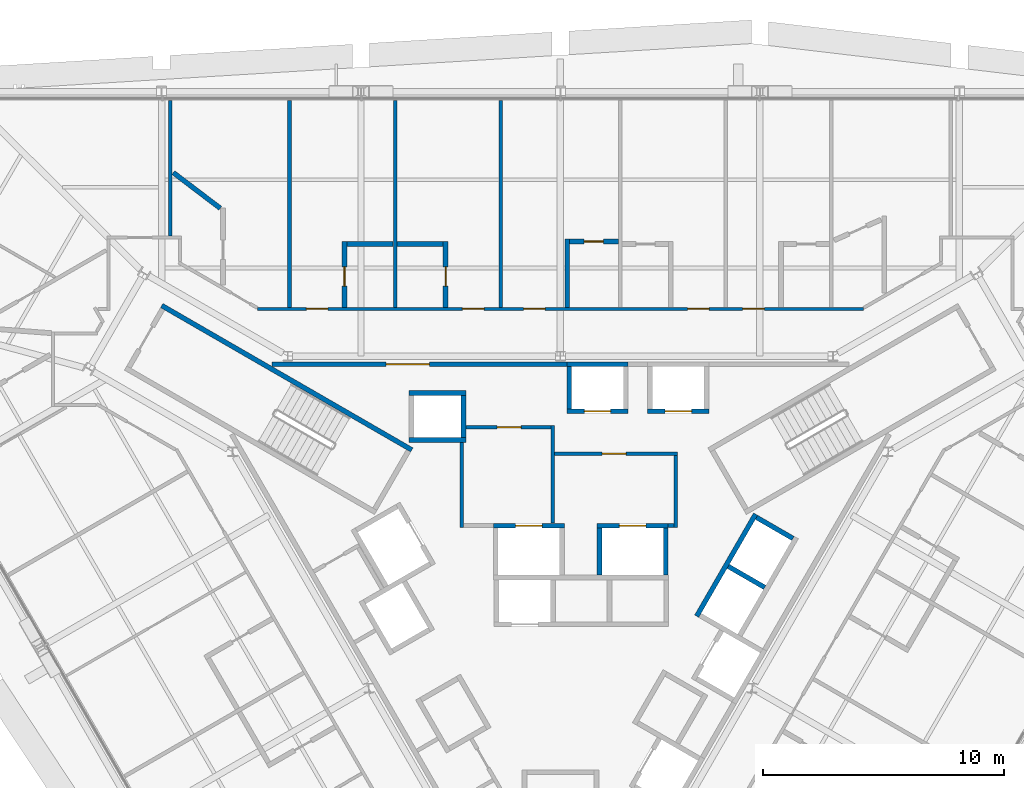
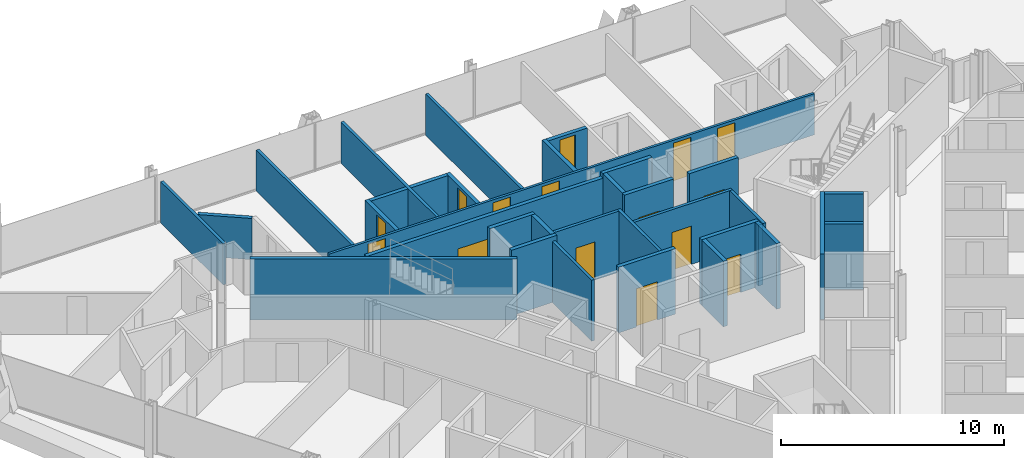
# One storey, part 13 of 17: 34 walls, 15 doors, 15 openings.
"""IFC4 building model written with IfcOpenShell, lengths in metres."""

from ifc_helpers import new_model, si_unit, direction, frame, frame_2d, origin, place, context, subcontext, project, spatial, rectangle, extrude, material, layer, layer_set, type_object, element, fill, save


model = new_model("IFC4")

# Units and contexts
model_context = context("Model", 3, precision=1e-05, world=origin(), true_north=direction((0.0, 1.0)))
body_context = subcontext(model_context, "Body", "Model", "MODEL_VIEW")
ifc_project = project(units=[si_unit("LENGTHUNIT", "METRE"), si_unit("AREAUNIT", "SQUARE_METRE"), si_unit("VOLUMEUNIT", "CUBIC_METRE"), si_unit("PLANEANGLEUNIT", "RADIAN"), si_unit("MASSUNIT", "GRAM", prefix="KILO")], contexts=[model_context])

# Site, building, storey
site_placement = place(None, origin())
site = spatial("IfcSite", under=ifc_project, at=site_placement, CompositionType="ELEMENT")
building_placement = place(site_placement, origin())
building = spatial("IfcBuilding", under=site, at=building_placement, Name="Verrane Prism Tower", CompositionType="ELEMENT")
storey_placement = place(building_placement, frame((0.0, 0.0, 139.60009765625)))
storey = spatial("IfcBuildingStorey", under=building, at=storey_placement, Name="L34", CompositionType="ELEMENT", Elevation=139.60009765625)

# Wall, opening, door
ifc_material_1 = material(Name="Gypsum board partition", Category="other")
ifc_layer_1 = layer(ifc_material_1, 0.199951171875)
ifc_layer_set_1 = layer_set([ifc_layer_1], Name="CW-200 core boundary wall 2 h")
wall_type_1 = type_object("IfcWallType", Name="CW-200 core boundary wall 2 h", PredefinedType="PARTITIONING", material=ifc_layer_set_1)
wall_1_placement = place(storey_placement, frame((0.262939453125, 8.860107421875, 0.0), z_axis=(0.0, 0.0, 1.0), x_axis=(-1.0, 0.0, 0.0)))
wall_1 = element("IfcWall", 1, at=wall_1_placement, inside=storey, type_object=wall_type_1, Name="Core boundary wall CW3-009", PredefinedType="PARTITIONING", context=body_context, shape_type="SweptSolid", body=[
    extrude(rectangle(XDim=12.25390625, YDim=0.199951171875, at=frame_2d((6.126953125, 0.0))), origin(), (0.0, 0.0, 1.0), 3.349853515625),
])
opening_1_placement = place(wall_1_placement, frame((5.708984375, 0.0, 0.0)))
opening_1 = element("IfcOpeningElement", 2, at=opening_1_placement, cuts=wall_1, Name="Opening D32519", PredefinedType="OPENING", context=body_context, shape_type="SweptSolid", body=[
    extrude(rectangle(XDim=1.800048828125, YDim=2.10009765625, at=frame_2d((0.89990234375, 1.050048828125))), frame((0.0, 0.10986328125, 0.0), z_axis=(0.0, -1.0, 0.0), x_axis=(1.0, 0.0, 0.0)), (0.0, 0.0, 1.0), 0.219970703125),
])
ifc_material_2 = material(Name="Timber veneered door leaf", Category="wood")
door_type_1 = type_object("IfcDoorType", Name="DR-1800x2100 FD60 double leaf lift lobby", OperationType="NOTDEFINED", PredefinedType="DOOR", material=ifc_material_2)
door_1_placement = place(opening_1_placement, origin())
door_1 = element("IfcDoor", 3, at=door_1_placement, inside=storey, type_object=door_type_1, Name="Lift lobby door D32519", OperationType="DOUBLE_DOOR_SINGLE_SWING", OverallHeight=2.10009765625, OverallWidth=1.800048828125, PredefinedType="DOOR", context=body_context, shape_type="SweptSolid", body=[
    extrude(rectangle(XDim=1.800048828125, YDim=2.10009765625, at=frame_2d((0.89990234375, 1.050048828125))), frame((0.0, 0.02490234375, 0.0), z_axis=(0.0, -1.0, 0.0), x_axis=(1.0, 0.0, 0.0)), (0.0, 0.0, 1.0), 0.050048828125),
])
fill(opening_1, door_1)

# Wall
ifc_material_3 = material(Name="Concrete C40/50", Category="concrete")
ifc_layer_2 = layer(ifc_material_3, 0.199951171875)
ifc_layer_set_2 = layer_set([ifc_layer_2], Name="CW-200 stair core wall concrete C40/50 3 h")
wall_type_2 = type_object("IfcWallType", Name="CW-200 stair core wall concrete C40/50 3 h", PredefinedType="PARTITIONING", material=ifc_layer_set_2)
wall_2_placement = place(storey_placement, frame((-6.17822265625, 5.299072265625, 0.0), z_axis=(0.0, 0.0, 1.0), x_axis=(-0.866026010844, 0.49999894854, 0.0)))
element("IfcWall", 4, at=wall_2_placement, inside=storey, type_object=wall_type_2, Name="Stair 2 enclosure wall", PredefinedType="PARTITIONING", context=body_context, shape_type="SweptSolid", body=[
    extrude(rectangle(XDim=12.0, YDim=0.199951171875, at=frame_2d((6.0, 0.0))), origin(), (0.0, 0.0, 1.0), 3.349853515625),
])

# Wall, opening, door
ifc_material_4 = material(Name="Gypsum board shaft wall assembly", Category="other")
ifc_layer_3 = layer(ifc_material_4, 0.199951171875)
ifc_layer_set_3 = layer_set([ifc_layer_3], Name="HW-200 lift shaft wall 2 h")
wall_type_3 = type_object("IfcWallType", Name="HW-200 lift shaft wall 2 h", PredefinedType="PARTITIONING", material=ifc_layer_set_3)
wall_3_placement = place(storey_placement, frame((-2.784912109375, 2.14990234375, 0.0), z_axis=(0.0, 0.0, 1.0), x_axis=(1.0, 0.0, 0.0)))
wall_3 = element("IfcWall", 5, at=wall_3_placement, inside=storey, type_object=wall_type_3, Name="Lift shaft wall", PredefinedType="PARTITIONING", context=body_context, shape_type="SweptSolid", body=[
    extrude(rectangle(XDim=2.949951171875, YDim=0.199951171875, at=frame_2d((1.47509765625, 0.0))), origin(), (0.0, 0.0, 1.0), 3.599853515625),
])
opening_2_placement = place(wall_3_placement, frame((0.925048828125, 0.0, 0.0)))
opening_2 = element("IfcOpeningElement", 6, at=opening_2_placement, cuts=wall_3, Name="Opening D32508", PredefinedType="OPENING", context=body_context, shape_type="SweptSolid", body=[
    extrude(rectangle(XDim=1.10009765625, YDim=2.10009765625, at=frame_2d((0.550048828125, 1.050048828125))), frame((0.0, 0.10986328125, 0.0), z_axis=(0.0, -1.0, 0.0), x_axis=(1.0, 0.0, 0.0)), (0.0, 0.0, 1.0), 0.219970703125),
])
ifc_material_5 = material(Name="Stainless steel sliding landing door", Category="steel")
door_type_2 = type_object("IfcDoorType", Name="LD-1100x2100 lift landing door FD90 sliding", OperationType="NOTDEFINED", PredefinedType="DOOR", material=ifc_material_5)
door_2_placement = place(opening_2_placement, origin())
door_2 = element("IfcDoor", 7, at=door_2_placement, inside=storey, type_object=door_type_2, Name="Fire service lift 1 landing door", OperationType="SLIDING_TO_LEFT", OverallHeight=2.10009765625, OverallWidth=1.10009765625, PredefinedType="DOOR", context=body_context, shape_type="SweptSolid", body=[
    extrude(rectangle(XDim=1.10009765625, YDim=2.10009765625, at=frame_2d((0.550048828125, 1.050048828125))), frame((0.0, 0.02490234375, 0.0), z_axis=(0.0, -1.0, 0.0), x_axis=(1.0, 0.0, 0.0)), (0.0, 0.0, 1.0), 0.050048828125),
])
fill(opening_2, door_2)

wall_4_placement = place(storey_placement, frame((1.52490234375, 2.14990234375, 0.0), z_axis=(0.0, 0.0, 1.0), x_axis=(1.0, 0.0, 0.0)))
wall_4 = element("IfcWall", 8, at=wall_4_placement, inside=storey, type_object=wall_type_3, Name="Lift shaft wall", PredefinedType="PARTITIONING", context=body_context, shape_type="SweptSolid", body=[
    extrude(rectangle(XDim=2.9501953125, YDim=0.199951171875, at=frame_2d((1.47509765625, 0.0))), origin(), (0.0, 0.0, 1.0), 3.599853515625),
])
opening_3_placement = place(wall_4_placement, frame((0.925048828125, 0.0, 0.0)))
opening_3 = element("IfcOpeningElement", 9, at=opening_3_placement, cuts=wall_4, Name="Opening D32509", PredefinedType="OPENING", context=body_context, shape_type="SweptSolid", body=[
    extrude(rectangle(XDim=1.10009765625, YDim=2.10009765625, at=frame_2d((0.550048828125, 1.050048828125))), frame((0.0, 0.10986328125, 0.0), z_axis=(0.0, -1.0, 0.0), x_axis=(1.0, 0.0, 0.0)), (0.0, 0.0, 1.0), 0.219970703125),
])
door_3_placement = place(opening_3_placement, origin())
door_3 = element("IfcDoor", 10, at=door_3_placement, inside=storey, type_object=door_type_2, Name="Fire service lift 2 landing door", OperationType="SLIDING_TO_RIGHT", OverallHeight=2.10009765625, OverallWidth=1.10009765625, PredefinedType="DOOR", context=body_context, shape_type="SweptSolid", body=[
    extrude(rectangle(XDim=1.10009765625, YDim=2.10009765625, at=frame_2d((0.550048828125, 1.050048828125))), frame((0.0, 0.02490234375, 0.0), z_axis=(0.0, -1.0, 0.0), x_axis=(1.0, 0.0, 0.0)), (0.0, 0.0, 1.0), 0.050048828125),
])
fill(opening_3, door_3)

# Wall
wall_5_placement = place(storey_placement, frame((-6.284912109375, 5.7099609375, 0.0), z_axis=(0.0, 0.0, 1.0), x_axis=(1.0, 0.0, 0.0)))
element("IfcWall", 11, at=wall_5_placement, inside=storey, type_object=wall_type_3, Name="Lift shaft wall", PredefinedType="PARTITIONING", context=body_context, shape_type="SweptSolid", body=[
    extrude(rectangle(XDim=2.349853515625, YDim=0.199951171875, at=frame_2d((1.1748046875, 0.0))), origin(), (0.0, 0.0, 1.0), 3.599853515625),
])

# Wall, opening, door
wall_6_placement = place(storey_placement, frame((0.264892578125, 6.909912109375, 0.0), z_axis=(0.0, 0.0, 1.0), x_axis=(1.0, 0.0, 0.0)))
wall_6 = element("IfcWall", 12, at=wall_6_placement, inside=storey, type_object=wall_type_3, Name="Lift shaft wall", PredefinedType="PARTITIONING", context=body_context, shape_type="SweptSolid", body=[
    extrude(rectangle(XDim=2.550048828125, YDim=0.199951171875, at=frame_2d((1.27490234375, 0.0))), origin(), (0.0, 0.0, 1.0), 3.599853515625),
])
opening_4_placement = place(wall_6_placement, frame((0.72509765625, 0.0, 0.0)))
opening_4 = element("IfcOpeningElement", 13, at=opening_4_placement, cuts=wall_6, Name="Opening D32503", PredefinedType="OPENING", context=body_context, shape_type="SweptSolid", body=[
    extrude(rectangle(XDim=1.10009765625, YDim=2.10009765625, at=frame_2d((0.550048828125, 1.050048828125))), frame((0.0, 0.10986328125, 0.0), z_axis=(0.0, -1.0, 0.0), x_axis=(1.0, 0.0, 0.0)), (0.0, 0.0, 1.0), 0.219970703125),
])
door_4_placement = place(opening_4_placement, origin())
door_4 = element("IfcDoor", 14, at=door_4_placement, inside=storey, type_object=door_type_2, Name="Bank A lift 1 landing door", OperationType="SLIDING_TO_LEFT", OverallHeight=2.10009765625, OverallWidth=1.10009765625, PredefinedType="DOOR", context=body_context, shape_type="SweptSolid", body=[
    extrude(rectangle(XDim=1.10009765625, YDim=2.10009765625, at=frame_2d((0.550048828125, 1.050048828125))), frame((0.0, 0.02490234375, 0.0), z_axis=(0.0, -1.0, 0.0), x_axis=(1.0, 0.0, 0.0)), (0.0, 0.0, 1.0), 0.050048828125),
])
fill(opening_4, door_4)

wall_7_placement = place(storey_placement, frame((3.625, 6.909912109375, 0.0), z_axis=(0.0, 0.0, 1.0), x_axis=(1.0, 0.0, 0.0)))
wall_7 = element("IfcWall", 15, at=wall_7_placement, inside=storey, type_object=wall_type_3, Name="Lift shaft wall", PredefinedType="PARTITIONING", context=body_context, shape_type="SweptSolid", body=[
    extrude(rectangle(XDim=2.550048828125, YDim=0.199951171875, at=frame_2d((1.27490234375, 0.0))), origin(), (0.0, 0.0, 1.0), 3.599853515625),
])
opening_5_placement = place(wall_7_placement, frame((0.72509765625, 0.0, 0.0)))
opening_5 = element("IfcOpeningElement", 16, at=opening_5_placement, cuts=wall_7, Name="Opening D32505", PredefinedType="OPENING", context=body_context, shape_type="SweptSolid", body=[
    extrude(rectangle(XDim=1.10009765625, YDim=2.10009765625, at=frame_2d((0.550048828125, 1.050048828125))), frame((0.0, 0.10986328125, 0.0), z_axis=(0.0, -1.0, 0.0), x_axis=(1.0, 0.0, 0.0)), (0.0, 0.0, 1.0), 0.219970703125),
])
door_5_placement = place(opening_5_placement, origin())
door_5 = element("IfcDoor", 17, at=door_5_placement, inside=storey, type_object=door_type_2, Name="Bank A lift 3 landing door", OperationType="SLIDING_TO_LEFT", OverallHeight=2.10009765625, OverallWidth=1.10009765625, PredefinedType="DOOR", context=body_context, shape_type="SweptSolid", body=[
    extrude(rectangle(XDim=1.10009765625, YDim=2.10009765625, at=frame_2d((0.550048828125, 1.050048828125))), frame((0.0, 0.02490234375, 0.0), z_axis=(0.0, -1.0, 0.0), x_axis=(1.0, 0.0, 0.0)), (0.0, 0.0, 1.0), 0.050048828125),
])
fill(opening_5, door_5)

# Walls
wall_8_placement = place(storey_placement, frame((-6.284912109375, 7.659912109375, 0.0), z_axis=(0.0, 0.0, 1.0), x_axis=(1.0, 0.0, 0.0)))
element("IfcWall", 18, at=wall_8_placement, inside=storey, type_object=wall_type_3, Name="Lift shaft wall", PredefinedType="PARTITIONING", context=body_context, shape_type="SweptSolid", body=[
    extrude(rectangle(XDim=2.349853515625, YDim=0.199951171875, at=frame_2d((1.1748046875, 0.0))), origin(), (0.0, 0.0, 1.0), 3.599853515625),
])
wall_9_placement = place(storey_placement, frame((0.264892578125, 8.860107421875, 0.0), z_axis=(0.0, 0.0, 1.0), x_axis=(1.0, 0.0, 0.0)))
element("IfcWall", 19, at=wall_9_placement, inside=storey, type_object=wall_type_3, Name="Lift shaft wall", PredefinedType="PARTITIONING", context=body_context, shape_type="SweptSolid", body=[
    extrude(rectangle(XDim=2.550048828125, YDim=0.199951171875, at=frame_2d((1.27490234375, 0.0))), origin(), (0.0, 0.0, 1.0), 3.599853515625),
])
wall_10_placement = place(storey_placement, frame((5.66259765625, -1.6123046875, 0.0), z_axis=(0.0, 0.0, 1.0), x_axis=(0.49998122708, 0.866036242063, 0.0)))
element("IfcWall", 20, at=wall_10_placement, inside=storey, type_object=wall_type_3, Name="Lift shaft wall", PredefinedType="PARTITIONING", context=body_context, shape_type="SweptSolid", body=[
    extrude(rectangle(XDim=4.900146484375, YDim=0.199951171875, at=frame_2d((2.4501953125, 0.0))), origin(), (0.0, 0.0, 1.0), 3.599853515625),
])
for number, where, z_axis, x_axis, name in (
    (21, (4.375, 0.10009765625, 0.0), (0.0, 0.0, 1.0), (0.0, 1.0, 0.0), "Lift shaft wall"),
    (22, (1.625, 0.10009765625, 0.0), (0.0, 0.0, 1.0), (0.0, 1.0, 0.0), "Lift shaft wall"),
):
    element("IfcWall", number, at=place(storey_placement, frame(where, z_axis=z_axis, x_axis=x_axis)), inside=storey, type_object=wall_type_3, Name=name, PredefinedType="PARTITIONING", context=body_context, shape_type="SweptSolid", body=[
        extrude(rectangle(XDim=1.949951171875, YDim=0.199951171875, at=frame_2d((0.97509765625, 0.0))), origin(), (0.0, 0.0, 1.0), 3.599853515625),
    ])
for number, where, z_axis, x_axis, name in (
    (23, (0.364990234375, 7.010009765625, 0.0), (0.0, 0.0, 1.0), (0.0, 1.0, 0.0), "Lift shaft wall"),
    (24, (-4.034912109375, 5.81005859375, 0.0), (0.0, 0.0, 1.0), (0.0, 1.0, 0.0), "Lift shaft wall"),
):
    element("IfcWall", number, at=place(storey_placement, frame(where, z_axis=z_axis, x_axis=x_axis)), inside=storey, type_object=wall_type_3, Name=name, PredefinedType="PARTITIONING", context=body_context, shape_type="SweptSolid", body=[
        extrude(rectangle(XDim=1.75, YDim=0.199951171875, at=frame_2d((0.875, 0.0))), origin(), (0.0, 0.0, 1.0), 3.599853515625),
    ])
wall_11_placement = place(storey_placement, frame((9.66455078125, 1.61962890625, 0.0), z_axis=(0.0, 0.0, 1.0), x_axis=(-0.866002029911, 0.500040482552, 0.0)))
element("IfcWall", 25, at=wall_11_placement, inside=storey, type_object=wall_type_3, Name="Lift shaft wall", PredefinedType="PARTITIONING", context=body_context, shape_type="SweptSolid", body=[
    extrude(rectangle(XDim=1.749755859375, YDim=0.199951171875, at=frame_2d((0.875, 0.0))), origin(), (0.0, 0.0, 1.0), 3.599853515625),
])
wall_12_placement = place(storey_placement, frame((8.48974609375, -0.41552734375, 0.0), z_axis=(0.0, 0.0, 1.0), x_axis=(-0.866036909293, 0.499980071345, 0.0)))
element("IfcWall", 26, at=wall_12_placement, inside=storey, type_object=wall_type_3, Name="Lift shaft wall", PredefinedType="PARTITIONING", context=body_context, shape_type="SweptSolid", body=[
    extrude(rectangle(XDim=1.75, YDim=0.199951171875, at=frame_2d((0.875, 0.0))), origin(), (0.0, 0.0, 1.0), 3.599853515625),
])
ifc_material_6 = material(Name="Gypsum board partition", Category="other")
ifc_layer_4 = layer(ifc_material_6, 0.14990234375)
ifc_layer_set_4 = layer_set([ifc_layer_4], Name="LF-150 firefighting lobby wall 1 h")
wall_type_4 = type_object("IfcWallType", Name="LF-150 firefighting lobby wall 1 h", PredefinedType="PARTITIONING", material=ifc_layer_set_4)
wall_13_placement = place(storey_placement, frame((-4.10009765625, 2.0849609375, 0.0), z_axis=(0.0, 0.0, 1.0), x_axis=(0.0, 1.0, 0.0)))
element("IfcWall", 27, at=wall_13_placement, inside=storey, type_object=wall_type_4, Name="Firefighting lobby wall LF1-009", PredefinedType="PARTITIONING", context=body_context, shape_type="SweptSolid", body=[
    extrude(rectangle(XDim=3.52294921875, YDim=0.14990234375, at=frame_2d((1.761474609375, 0.0))), origin(), (0.0, 0.0, 1.0), 3.349853515625),
])

# Wall, opening, door
wall_14_placement = place(storey_placement, frame((-3.93310546875, 6.239990234375, 0.0), z_axis=(0.0, 0.0, 1.0), x_axis=(1.0, 0.0, 0.0)))
wall_14 = element("IfcWall", 28, at=wall_14_placement, inside=storey, type_object=wall_type_4, Name="Firefighting lobby wall LF1-011", PredefinedType="PARTITIONING", context=body_context, shape_type="SweptSolid", body=[
    extrude(rectangle(XDim=3.5380859375, YDim=0.14990234375, at=frame_2d((1.76904296875, 0.0))), origin(), (0.0, 0.0, 1.0), 3.349853515625),
])
opening_6_placement = place(wall_14_placement, frame((1.300048828125, 0.0, 0.0)))
opening_6 = element("IfcOpeningElement", 29, at=opening_6_placement, cuts=wall_14, Name="Opening D32521", PredefinedType="OPENING", context=body_context, shape_type="SweptSolid", body=[
    extrude(rectangle(XDim=1.0, YDim=2.10009765625, at=frame_2d((0.5, 1.050048828125))), frame((0.0, 0.0849609375, 0.0), z_axis=(0.0, -1.0, 0.0), x_axis=(1.0, 0.0, 0.0)), (0.0, 0.0, 1.0), 0.169921875),
])
ifc_material_7 = material(Name="Timber veneered door leaf", Category="wood")
door_type_3 = type_object("IfcDoorType", Name="DR-1000x2100 FD60 single leaf firefighting lobby", OperationType="NOTDEFINED", PredefinedType="DOOR", material=ifc_material_7)
door_6_placement = place(opening_6_placement, origin())
door_6 = element("IfcDoor", 30, at=door_6_placement, inside=storey, type_object=door_type_3, Name="Firefighting lobby door D32521", OperationType="SINGLE_SWING_LEFT", OverallHeight=2.10009765625, OverallWidth=1.0, PredefinedType="DOOR", context=body_context, shape_type="SweptSolid", body=[
    extrude(rectangle(XDim=1.0, YDim=2.10009765625, at=frame_2d((0.5, 1.050048828125))), frame((0.0, 0.02490234375, 0.0), z_axis=(0.0, -1.0, 0.0), x_axis=(1.0, 0.0, 0.0)), (0.0, 0.0, 1.0), 0.050048828125),
])
fill(opening_6, door_6)

# Wall
wall_15_placement = place(storey_placement, frame((-0.320068359375, 2.251953125, 0.0), z_axis=(0.0, 0.0, 1.0), x_axis=(0.0, 1.0, 0.0)))
element("IfcWall", 31, at=wall_15_placement, inside=storey, type_object=wall_type_4, Name="Firefighting lobby wall LF1-012", PredefinedType="PARTITIONING", context=body_context, shape_type="SweptSolid", body=[
    extrude(rectangle(XDim=4.06298828125, YDim=0.14990234375, at=frame_2d((2.031494140625, 0.0))), origin(), (0.0, 0.0, 1.0), 3.349853515625),
])

# Wall, opening, door
wall_16_placement = place(storey_placement, frame((-0.2451171875, 5.139892578125, 0.0), z_axis=(0.0, 0.0, 1.0), x_axis=(1.0, 0.0, 0.0)))
wall_16 = element("IfcWall", 32, at=wall_16_placement, inside=storey, type_object=wall_type_4, Name="Firefighting lobby wall LF1-013", PredefinedType="PARTITIONING", context=body_context, shape_type="SweptSolid", body=[
    extrude(rectangle(XDim=5.110107421875, YDim=0.14990234375, at=frame_2d((2.55517578125, 0.0))), origin(), (0.0, 0.0, 1.0), 3.349853515625),
])
opening_7_placement = place(wall_16_placement, frame((1.97509765625, 0.0, 0.0)))
opening_7 = element("IfcOpeningElement", 33, at=opening_7_placement, cuts=wall_16, Name="Opening D32524", PredefinedType="OPENING", context=body_context, shape_type="SweptSolid", body=[
    extrude(rectangle(XDim=1.0, YDim=2.10009765625, at=frame_2d((0.5, 1.050048828125))), frame((0.0, 0.0849609375, 0.0), z_axis=(0.0, -1.0, 0.0), x_axis=(1.0, 0.0, 0.0)), (0.0, 0.0, 1.0), 0.169921875),
])
door_7_placement = place(opening_7_placement, origin())
door_7 = element("IfcDoor", 34, at=door_7_placement, inside=storey, type_object=door_type_3, Name="Firefighting lobby door D32524", OperationType="SINGLE_SWING_RIGHT", OverallHeight=2.10009765625, OverallWidth=1.0, PredefinedType="DOOR", context=body_context, shape_type="SweptSolid", body=[
    extrude(rectangle(XDim=1.0, YDim=2.10009765625, at=frame_2d((0.5, 1.050048828125))), frame((0.0, 0.02490234375, 0.0), z_axis=(0.0, -1.0, 0.0), x_axis=(1.0, 0.0, 0.0)), (0.0, 0.0, 1.0), 0.050048828125),
])
fill(opening_7, door_7)

# Walls
wall_17_placement = place(storey_placement, frame((4.47705078125, 2.159912109375, 0.0), z_axis=(0.0, 0.0, 1.0), x_axis=(1.0, 0.0, 0.0)))
element("IfcWall", 35, at=wall_17_placement, inside=storey, type_object=wall_type_4, Name="Firefighting lobby wall LF1-014", PredefinedType="PARTITIONING", context=body_context, shape_type="SweptSolid", body=[
    extrude(rectangle(XDim=0.238037109375, YDim=0.14990234375, at=frame_2d((0.119140625, 0.0))), origin(), (0.0, 0.0, 1.0), 3.349853515625),
])
wall_18_placement = place(storey_placement, frame((4.7900390625, 2.0849609375, 0.0), z_axis=(0.0, 0.0, 1.0), x_axis=(0.0, 1.0, 0.0)))
element("IfcWall", 36, at=wall_18_placement, inside=storey, type_object=wall_type_4, Name="Firefighting lobby wall LF1-015", PredefinedType="PARTITIONING", context=body_context, shape_type="SweptSolid", body=[
    extrude(rectangle(XDim=2.97998046875, YDim=0.14990234375, at=frame_2d((1.489990234375, 0.0))), origin(), (0.0, 0.0, 1.0), 3.349853515625),
])

# Wall, openings, doors
ifc_material_8 = material(Name="Gypsum board partition", Category="other")
ifc_layer_5 = layer(ifc_material_8, 0.125)
ifc_layer_set_5 = layer_set([ifc_layer_5], Name="PW-125 corridor wall 1 h")
wall_type_5 = type_object("IfcWallType", Name="PW-125 corridor wall 1 h", PredefinedType="PARTITIONING", material=ifc_layer_set_5)
wall_19_placement = place(storey_placement, frame((-12.593505859375, 11.160888671875, 0.0), z_axis=(0.0, 0.0, 1.0), x_axis=(1.0, 0.0, 0.0)))
wall_19 = element("IfcWall", 37, at=wall_19_placement, inside=storey, type_object=wall_type_5, Name="Corridor wall 030", PredefinedType="PARTITIONING", context=body_context, shape_type="SweptSolid", body=[
    extrude(rectangle(XDim=25.18701171875, YDim=0.125, at=frame_2d((12.593505859375, 0.0))), origin(), (0.0, 0.0, 1.0), 2.261962890625),
])
opening_8_placement = place(wall_19_placement, frame((20.16552734375, 0.0, 0.0)))
opening_8 = element("IfcOpeningElement", 38, at=opening_8_placement, cuts=wall_19, Name="Opening D32019", PredefinedType="OPENING", context=body_context, shape_type="SweptSolid", body=[
    extrude(rectangle(XDim=0.89990234375, YDim=2.10009765625, at=frame_2d((0.449951171875, 1.050048828125))), frame((0.0, 0.072509765625, 0.0), z_axis=(0.0, -1.0, 0.0), x_axis=(1.0, 0.0, 0.0)), (0.0, 0.0, 1.0), 0.14501953125),
])
opening_9_placement = place(wall_19_placement, frame((17.87548828125, 0.0, 0.0)))
opening_9 = element("IfcOpeningElement", 39, at=opening_9_placement, cuts=wall_19, Name="Opening D32021", PredefinedType="OPENING", context=body_context, shape_type="SweptSolid", body=[
    extrude(rectangle(XDim=0.89990234375, YDim=2.10009765625, at=frame_2d((0.449951171875, 1.050048828125))), frame((0.0, 0.072509765625, 0.0), z_axis=(0.0, -1.0, 0.0), x_axis=(1.0, 0.0, 0.0)), (0.0, 0.0, 1.0), 0.14501953125),
])
opening_10_placement = place(wall_19_placement, frame((11.0615234375, 0.0, 0.0)))
opening_10 = element("IfcOpeningElement", 40, at=opening_10_placement, cuts=wall_19, Name="Opening D32023", PredefinedType="OPENING", context=body_context, shape_type="SweptSolid", body=[
    extrude(rectangle(XDim=0.89990234375, YDim=2.10009765625, at=frame_2d((0.449951171875, 1.050048828125))), frame((0.0, 0.072509765625, 0.0), z_axis=(0.0, -1.0, 0.0), x_axis=(1.0, 0.0, 0.0)), (0.0, 0.0, 1.0), 0.14501953125),
])
opening_11_placement = place(wall_19_placement, frame((8.521484375, 0.0, 0.0)))
opening_11 = element("IfcOpeningElement", 41, at=opening_11_placement, cuts=wall_19, Name="Opening D32025", PredefinedType="OPENING", context=body_context, shape_type="SweptSolid", body=[
    extrude(rectangle(XDim=0.89990234375, YDim=2.10009765625, at=frame_2d((0.449951171875, 1.050048828125))), frame((0.0, 0.072509765625, 0.0), z_axis=(0.0, -1.0, 0.0), x_axis=(1.0, 0.0, 0.0)), (0.0, 0.0, 1.0), 0.14501953125),
])
opening_12_placement = place(wall_19_placement, frame((2.031494140625, 0.0, 0.0)))
opening_12 = element("IfcOpeningElement", 42, at=opening_12_placement, cuts=wall_19, Name="Opening D32027", PredefinedType="OPENING", context=body_context, shape_type="SweptSolid", body=[
    extrude(rectangle(XDim=0.89990234375, YDim=2.10009765625, at=frame_2d((0.449951171875, 1.050048828125))), frame((0.0, 0.072509765625, 0.0), z_axis=(0.0, -1.0, 0.0), x_axis=(1.0, 0.0, 0.0)), (0.0, 0.0, 1.0), 0.14501953125),
])
ifc_material_9 = material(Name="Timber veneered door leaf", Category="wood")
door_type_4 = type_object("IfcDoorType", Name="DR-900x2100 FD20 single leaf unit", OperationType="NOTDEFINED", PredefinedType="DOOR", material=ifc_material_9)
door_8_placement = place(opening_8_placement, origin())
door_8 = element("IfcDoor", 43, at=door_8_placement, inside=storey, type_object=door_type_4, Name="Guest Room door", OperationType="SINGLE_SWING_LEFT", OverallHeight=2.10009765625, OverallWidth=0.89990234375, PredefinedType="DOOR", context=body_context, shape_type="SweptSolid", body=[
    extrude(rectangle(XDim=0.89990234375, YDim=2.10009765625, at=frame_2d((0.449951171875, 1.050048828125))), frame((0.0, 0.02490234375, 0.0), z_axis=(0.0, -1.0, 0.0), x_axis=(1.0, 0.0, 0.0)), (0.0, 0.0, 1.0), 0.050048828125),
])
fill(opening_8, door_8)
door_9_placement = place(opening_9_placement, origin())
door_9 = element("IfcDoor", 44, at=door_9_placement, inside=storey, type_object=door_type_4, Name="Guest Room door", OperationType="SINGLE_SWING_LEFT", OverallHeight=2.10009765625, OverallWidth=0.89990234375, PredefinedType="DOOR", context=body_context, shape_type="SweptSolid", body=[
    extrude(rectangle(XDim=0.89990234375, YDim=2.10009765625, at=frame_2d((0.449951171875, 1.050048828125))), frame((0.0, 0.02490234375, 0.0), z_axis=(0.0, -1.0, 0.0), x_axis=(1.0, 0.0, 0.0)), (0.0, 0.0, 1.0), 0.050048828125),
])
fill(opening_9, door_9)
door_10_placement = place(opening_10_placement, origin())
door_10 = element("IfcDoor", 45, at=door_10_placement, inside=storey, type_object=door_type_4, Name="Guest Room door", OperationType="SINGLE_SWING_LEFT", OverallHeight=2.10009765625, OverallWidth=0.89990234375, PredefinedType="DOOR", context=body_context, shape_type="SweptSolid", body=[
    extrude(rectangle(XDim=0.89990234375, YDim=2.10009765625, at=frame_2d((0.449951171875, 1.050048828125))), frame((0.0, 0.02490234375, 0.0), z_axis=(0.0, -1.0, 0.0), x_axis=(1.0, 0.0, 0.0)), (0.0, 0.0, 1.0), 0.050048828125),
])
fill(opening_10, door_10)
door_11_placement = place(opening_11_placement, origin())
door_11 = element("IfcDoor", 46, at=door_11_placement, inside=storey, type_object=door_type_4, Name="Guest Room door", OperationType="SINGLE_SWING_LEFT", OverallHeight=2.10009765625, OverallWidth=0.89990234375, PredefinedType="DOOR", context=body_context, shape_type="SweptSolid", body=[
    extrude(rectangle(XDim=0.89990234375, YDim=2.10009765625, at=frame_2d((0.449951171875, 1.050048828125))), frame((0.0, 0.02490234375, 0.0), z_axis=(0.0, -1.0, 0.0), x_axis=(1.0, 0.0, 0.0)), (0.0, 0.0, 1.0), 0.050048828125),
])
fill(opening_11, door_11)
door_12_placement = place(opening_12_placement, origin())
door_12 = element("IfcDoor", 47, at=door_12_placement, inside=storey, type_object=door_type_4, Name="Guest Room door", OperationType="SINGLE_SWING_LEFT", OverallHeight=2.10009765625, OverallWidth=0.89990234375, PredefinedType="DOOR", context=body_context, shape_type="SweptSolid", body=[
    extrude(rectangle(XDim=0.89990234375, YDim=2.10009765625, at=frame_2d((0.449951171875, 1.050048828125))), frame((0.0, 0.02490234375, 0.0), z_axis=(0.0, -1.0, 0.0), x_axis=(1.0, 0.0, 0.0)), (0.0, 0.0, 1.0), 0.050048828125),
])
fill(opening_12, door_12)

# Walls
ifc_material_10 = material(Name="Gypsum board partition", Category="other")
ifc_layer_6 = layer(ifc_material_10, 0.14990234375)
ifc_layer_set_6 = layer_set([ifc_layer_6], Name="PW-150 demising wall 1 h")
wall_type_6 = type_object("IfcWallType", Name="PW-150 demising wall 1 h", PredefinedType="PARTITIONING", material=ifc_layer_set_6)
wall_20_placement = place(storey_placement, frame((-16.22607421875, 14.189453125, 0.0), z_axis=(0.0, 0.0, 1.0), x_axis=(0.0, 1.0, 0.0)))
element("IfcWall", 48, at=wall_20_placement, inside=storey, type_object=wall_type_6, Name="Demising wall 019", PredefinedType="PARTITIONING", context=body_context, shape_type="SweptSolid", body=[
    extrude(rectangle(XDim=5.62548828125, YDim=0.14990234375, at=frame_2d((2.812744140625, 0.0))), origin(), (0.0, 0.0, 1.0), 2.261962890625),
])
for number, where, z_axis, x_axis, name in (
    (49, (-11.261962890625, 11.223388671875, 0.0), (0.0, 0.0, 1.0), (0.0, 1.0, 0.0), "Demising wall 032"),
    (50, (-6.8720703125, 11.223388671875, 0.0), (0.0, 0.0, 1.0), (0.0, 1.0, 0.0), "Demising wall 039"),
    (51, (-2.48193359375, 11.223388671875, 0.0), (0.0, 0.0, 1.0), (0.0, 1.0, 0.0), "Demising wall 046"),
):
    element("IfcWall", number, at=place(storey_placement, frame(where, z_axis=z_axis, x_axis=x_axis)), inside=storey, type_object=wall_type_6, Name=name, PredefinedType="PARTITIONING", context=body_context, shape_type="SweptSolid", body=[
        extrude(rectangle(XDim=8.591552734375, YDim=0.14990234375, at=frame_2d((4.2958984375, 0.0))), origin(), (0.0, 0.0, 1.0), 2.261962890625),
    ])
ifc_material_11 = material(Name="Gypsum board partition", Category="other")
ifc_layer_7 = layer(ifc_material_11, 0.199951171875)
ifc_layer_set_7 = layer_set([ifc_layer_7], Name="PW-200 plumbing wall")
wall_type_7 = type_object("IfcWallType", Name="PW-200 plumbing wall", PredefinedType="PARTITIONING", material=ifc_layer_set_7)
wall_21_placement = place(storey_placement, frame((-16.090576171875, 16.82421875, 0.0), z_axis=(0.0, 0.0, 1.0), x_axis=(0.796497816393, -0.604641404869, 0.0)))
element("IfcWall", 52, at=wall_21_placement, inside=storey, type_object=wall_type_7, Name="Plumbing wall 020", PredefinedType="PARTITIONING", context=body_context, shape_type="SweptSolid", body=[
    extrude(rectangle(XDim=2.4521484375, YDim=0.199951171875, at=frame_2d((1.22607421875, 0.0))), origin(), (0.0, 0.0, 1.0), 2.261962890625),
])

# Wall, opening, door
wall_22_placement = place(storey_placement, frame((-8.971923828125, 13.9609375, 0.0), z_axis=(0.0, 0.0, 1.0), x_axis=(0.0, -1.0, 0.0)))
wall_22 = element("IfcWall", 53, at=wall_22_placement, inside=storey, type_object=wall_type_7, Name="Plumbing wall 034", PredefinedType="PARTITIONING", context=body_context, shape_type="SweptSolid", body=[
    extrude(rectangle(XDim=2.737548828125, YDim=0.199951171875, at=frame_2d((1.36865234375, 0.0))), origin(), (0.0, 0.0, 1.0), 2.261962890625),
])
opening_13_placement = place(wall_22_placement, frame((1.050048828125, 0.0, 0.0)))
opening_13 = element("IfcOpeningElement", 54, at=opening_13_placement, cuts=wall_22, Name="Opening D32028", PredefinedType="OPENING", context=body_context, shape_type="SweptSolid", body=[
    extrude(rectangle(XDim=0.800048828125, YDim=2.10009765625, at=frame_2d((0.39990234375, 1.050048828125))), frame((0.0, 0.10986328125, 0.0), z_axis=(0.0, -1.0, 0.0), x_axis=(1.0, 0.0, 0.0)), (0.0, 0.0, 1.0), 0.219970703125),
])
ifc_material_12 = material(Name="Timber veneered door leaf", Category="wood")
door_type_5 = type_object("IfcDoorType", Name="DR-800x2100 single leaf bath", OperationType="NOTDEFINED", PredefinedType="DOOR", material=ifc_material_12)
door_13_placement = place(opening_13_placement, origin())
door_13 = element("IfcDoor", 55, at=door_13_placement, inside=storey, type_object=door_type_5, Name="En-Suite door", OperationType="SINGLE_SWING_LEFT", OverallHeight=2.10009765625, OverallWidth=0.800048828125, PredefinedType="DOOR", context=body_context, shape_type="SweptSolid", body=[
    extrude(rectangle(XDim=0.800048828125, YDim=2.10009765625, at=frame_2d((0.39990234375, 1.050048828125))), frame((0.0, 0.02490234375, 0.0), z_axis=(0.0, -1.0, 0.0), x_axis=(1.0, 0.0, 0.0)), (0.0, 0.0, 1.0), 0.050048828125),
])
fill(opening_13, door_13)

# Walls
wall_23_placement = place(storey_placement, frame((-8.8720703125, 13.861083984375, 0.0), z_axis=(0.0, 0.0, 1.0), x_axis=(1.0, 0.0, 0.0)))
element("IfcWall", 56, at=wall_23_placement, inside=storey, type_object=wall_type_7, Name="Plumbing wall 035", PredefinedType="PARTITIONING", context=body_context, shape_type="SweptSolid", body=[
    extrude(rectangle(XDim=1.920166015625, YDim=0.199951171875, at=frame_2d((0.9599609375, 0.0))), origin(), (0.0, 0.0, 1.0), 2.261962890625),
])
wall_24_placement = place(storey_placement, frame((-6.7919921875, 13.861083984375, 0.0), z_axis=(0.0, 0.0, 1.0), x_axis=(1.0, 0.0, 0.0)))
element("IfcWall", 57, at=wall_24_placement, inside=storey, type_object=wall_type_7, Name="Plumbing wall 040", PredefinedType="PARTITIONING", context=body_context, shape_type="SweptSolid", body=[
    extrude(rectangle(XDim=1.919921875, YDim=0.199951171875, at=frame_2d((0.9599609375, 0.0))), origin(), (0.0, 0.0, 1.0), 2.261962890625),
])

# Wall, opening, door
wall_25_placement = place(storey_placement, frame((-4.77197265625, 11.223388671875, 0.0), z_axis=(0.0, 0.0, 1.0), x_axis=(0.0, 1.0, 0.0)))
wall_25 = element("IfcWall", 58, at=wall_25_placement, inside=storey, type_object=wall_type_7, Name="Plumbing wall 042", PredefinedType="PARTITIONING", context=body_context, shape_type="SweptSolid", body=[
    extrude(rectangle(XDim=2.737548828125, YDim=0.199951171875, at=frame_2d((1.36865234375, 0.0))), origin(), (0.0, 0.0, 1.0), 2.261962890625),
])
opening_14_placement = place(wall_25_placement, frame((0.887451171875, 0.0, 0.0)))
opening_14 = element("IfcOpeningElement", 59, at=opening_14_placement, cuts=wall_25, Name="Opening D32026", PredefinedType="OPENING", context=body_context, shape_type="SweptSolid", body=[
    extrude(rectangle(XDim=0.800048828125, YDim=2.10009765625, at=frame_2d((0.39990234375, 1.050048828125))), frame((0.0, 0.10986328125, 0.0), z_axis=(0.0, -1.0, 0.0), x_axis=(1.0, 0.0, 0.0)), (0.0, 0.0, 1.0), 0.219970703125),
])
door_14_placement = place(opening_14_placement, origin())
door_14 = element("IfcDoor", 60, at=door_14_placement, inside=storey, type_object=door_type_5, Name="En-Suite door", OperationType="SINGLE_SWING_RIGHT", OverallHeight=2.10009765625, OverallWidth=0.800048828125, PredefinedType="DOOR", context=body_context, shape_type="SweptSolid", body=[
    extrude(rectangle(XDim=0.800048828125, YDim=2.10009765625, at=frame_2d((0.39990234375, 1.050048828125))), frame((0.0, 0.02490234375, 0.0), z_axis=(0.0, -1.0, 0.0), x_axis=(1.0, 0.0, 0.0)), (0.0, 0.0, 1.0), 0.050048828125),
])
fill(opening_14, door_14)

# Wall
wall_26_placement = place(storey_placement, frame((0.281982421875, 11.223388671875, 0.0), z_axis=(0.0, 0.0, 1.0), x_axis=(0.0, 1.0, 0.0)))
element("IfcWall", 61, at=wall_26_placement, inside=storey, type_object=wall_type_7, Name="Plumbing wall 048", PredefinedType="PARTITIONING", context=body_context, shape_type="SweptSolid", body=[
    extrude(rectangle(XDim=2.837646484375, YDim=0.199951171875, at=frame_2d((1.4189453125, 0.0))), origin(), (0.0, 0.0, 1.0), 2.261962890625),
])

# Wall, opening, door
wall_27_placement = place(storey_placement, frame((2.406982421875, 13.9609375, 0.0), z_axis=(0.0, 0.0, 1.0), x_axis=(-1.0, 0.0, 0.0)))
wall_27 = element("IfcWall", 62, at=wall_27_placement, inside=storey, type_object=wall_type_7, Name="Plumbing wall 049", PredefinedType="PARTITIONING", context=body_context, shape_type="SweptSolid", body=[
    extrude(rectangle(XDim=2.02490234375, YDim=0.199951171875, at=frame_2d((1.012451171875, 0.0))), origin(), (0.0, 0.0, 1.0), 2.261962890625),
])
opening_15_placement = place(wall_27_placement, frame((0.625, 0.0, 0.0)))
opening_15 = element("IfcOpeningElement", 63, at=opening_15_placement, cuts=wall_27, Name="Opening D32024", PredefinedType="OPENING", context=body_context, shape_type="SweptSolid", body=[
    extrude(rectangle(XDim=0.800048828125, YDim=2.10009765625, at=frame_2d((0.39990234375, 1.050048828125))), frame((0.0, 0.10986328125, 0.0), z_axis=(0.0, -1.0, 0.0), x_axis=(1.0, 0.0, 0.0)), (0.0, 0.0, 1.0), 0.219970703125),
])
door_15_placement = place(opening_15_placement, origin())
door_15 = element("IfcDoor", 64, at=door_15_placement, inside=storey, type_object=door_type_5, Name="En-Suite door", OperationType="SINGLE_SWING_LEFT", OverallHeight=2.10009765625, OverallWidth=0.800048828125, PredefinedType="DOOR", context=body_context, shape_type="SweptSolid", body=[
    extrude(rectangle(XDim=0.800048828125, YDim=2.10009765625, at=frame_2d((0.39990234375, 1.050048828125))), frame((0.0, 0.02490234375, 0.0), z_axis=(0.0, -1.0, 0.0), x_axis=(1.0, 0.0, 0.0)), (0.0, 0.0, 1.0), 0.050048828125),
])
fill(opening_15, door_15)

save(model, "model.ifc")
